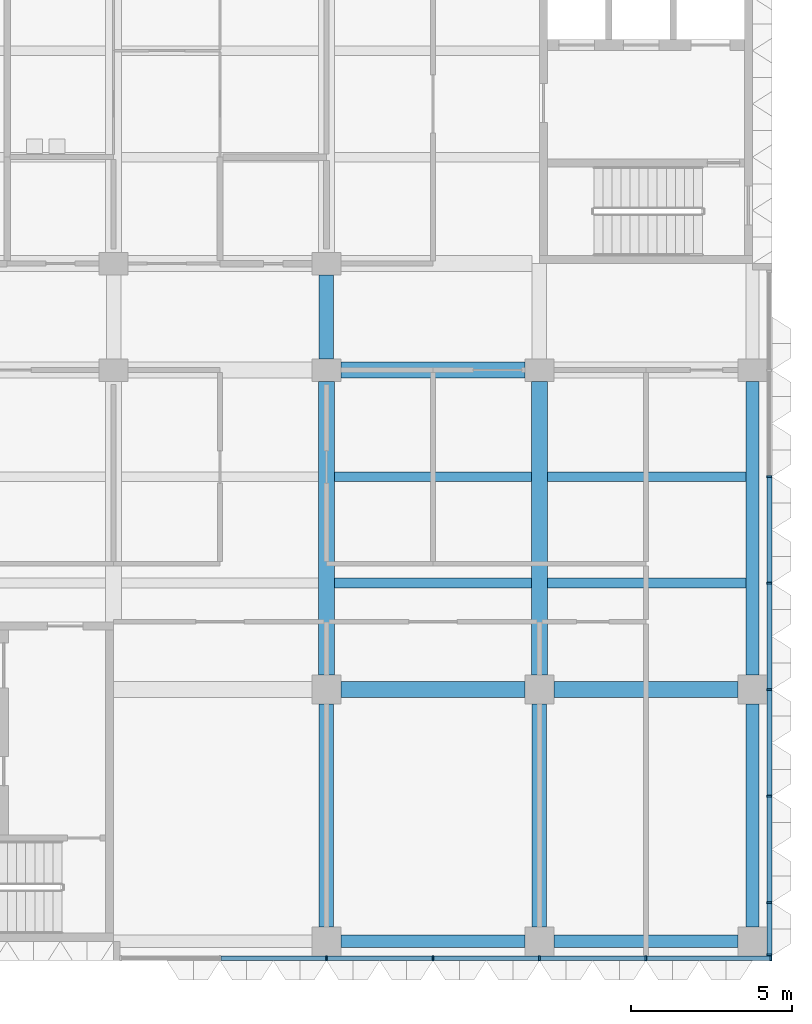
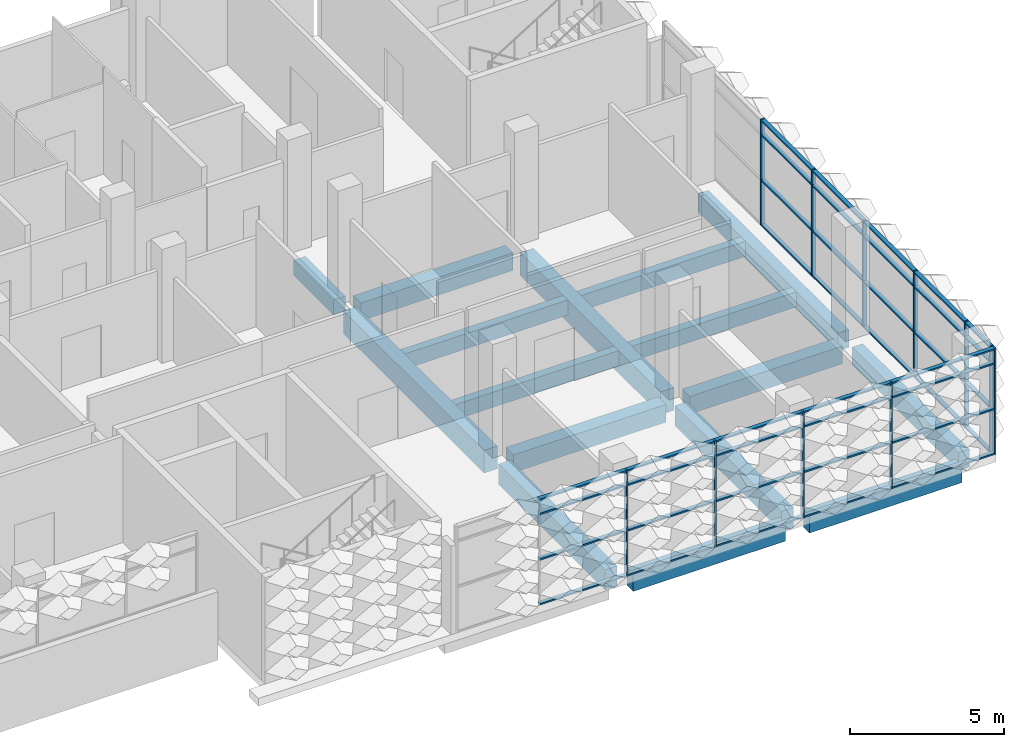
# One storey, part 12 of 102: 51 members, 16 beams, 2 elements without a shape of their own.
"""IFC4 building model written with IfcOpenShell, lengths in metres."""

from ifc_helpers import new_model, si_unit, direction, frame, origin, origin_2d, place, context, subcontext, project, spatial, rectangle, extrude, material, material_profile, profile_set, type_object, element, aggregate, save


model = new_model("IFC4")

# Units and contexts
model_context = context("Model", 3, precision=1e-05, world=origin(), true_north=direction((0.0, 1.0)))
body_context = subcontext(model_context, "Body", "Model", "MODEL_VIEW")
ifc_project = project(units=[si_unit("LENGTHUNIT", "METRE"), si_unit("AREAUNIT", "SQUARE_METRE"), si_unit("VOLUMEUNIT", "CUBIC_METRE"), si_unit("PLANEANGLEUNIT", "RADIAN"), si_unit("MASSUNIT", "GRAM", prefix="KILO")], contexts=[model_context])

# Site, building, storey
site_placement = place(None, origin())
site = spatial("IfcSite", under=ifc_project, at=site_placement, CompositionType="ELEMENT")
building_placement = place(site_placement, origin())
building = spatial("IfcBuilding", under=site, at=building_placement, Name="Lantern Court Research Institute", CompositionType="ELEMENT")
storey_placement = place(building_placement, frame((0.0, 0.0, 9.89990234375)))
storey = spatial("IfcBuildingStorey", under=building, at=storey_placement, Name="L02", CompositionType="ELEMENT", Elevation=9.89990234375)

# Curtain wall, members
ifc_material_1 = material(Name="Aluminium alloy 6063-T6", Category="aluminium")
curtain_wall_type_1 = type_object("IfcCurtainWallType", Name="Curtain wall 21250 x 4200 x 150 aluminium frame", PredefinedType="NOTDEFINED", material=ifc_material_1)
curtain_wall_1_placement = place(storey_placement, origin())
curtain_wall_1 = element("IfcCurtainWall", 1, at=curtain_wall_1_placement, inside=storey, type_object=curtain_wall_type_1, Name="Curtain wall CW043", PredefinedType="NOTDEFINED")
ifc_material_2 = material(Name="Aluminium alloy 6063-T6", Category="aluminium")
ifc_material_profile_1 = material_profile(ifc_material_2, rectangle(XDim=0.14990234375, YDim=0.06005859375, at=origin_2d()), Name="Mullion 150 x 60")
ifc_profile_set_1 = profile_set([ifc_material_profile_1], Name="Aluminium alloy 6063-T6")
member_type_1 = type_object("IfcMemberType", Name="Mullion 150 x 60 aluminium", PredefinedType="MULLION", material=ifc_profile_set_1)
member_1_placement = place(storey_placement, frame((79.72509765625, -8.219970703125, 0.0), z_axis=(0.0, 0.0, 1.0), x_axis=(1.0, 0.0, 0.0)))
member_1 = element("IfcMember", 2, at=member_1_placement, type_object=member_type_1, Name="CW043 mullion 1", PredefinedType="MULLION", context=body_context, shape_type="SweptSolid", body=[
    extrude(rectangle(XDim=0.14990234375, YDim=0.06005859375, at=origin_2d()), origin(), (0.0, 0.0, 1.0), 4.2001953125),
])
member_2_placement = place(storey_placement, frame((79.72509765625, -6.60009765625, 0.0), z_axis=(0.0, 0.0, 1.0), x_axis=(1.0, 0.0, 0.0)))
member_2 = element("IfcMember", 3, at=member_2_placement, type_object=member_type_1, Name="CW043 mullion 2", PredefinedType="MULLION", context=body_context, shape_type="SweptSolid", body=[
    extrude(rectangle(XDim=0.14990234375, YDim=0.06005859375, at=origin_2d()), origin(), (0.0, 0.0, 1.0), 4.2001953125),
])
member_3_placement = place(storey_placement, frame((79.72509765625, -3.300048828125, 0.0), z_axis=(0.0, 0.0, 1.0), x_axis=(1.0, 0.0, 0.0)))
member_3 = element("IfcMember", 4, at=member_3_placement, type_object=member_type_1, Name="CW043 mullion 3", PredefinedType="MULLION", context=body_context, shape_type="SweptSolid", body=[
    extrude(rectangle(XDim=0.14990234375, YDim=0.06005859375, at=origin_2d()), origin(), (0.0, 0.0, 1.0), 4.2001953125),
])
member_4_placement = place(storey_placement, frame((79.72509765625, 0.0, 0.0), z_axis=(0.0, 0.0, 1.0), x_axis=(1.0, 0.0, 0.0)))
member_4 = element("IfcMember", 5, at=member_4_placement, type_object=member_type_1, Name="CW043 mullion 4", PredefinedType="MULLION", context=body_context, shape_type="SweptSolid", body=[
    extrude(rectangle(XDim=0.14990234375, YDim=0.06005859375, at=origin_2d()), origin(), (0.0, 0.0, 1.0), 4.2001953125),
])
member_5_placement = place(storey_placement, frame((79.72509765625, 3.300048828125, 0.0), z_axis=(0.0, 0.0, 1.0), x_axis=(1.0, 0.0, 0.0)))
member_5 = element("IfcMember", 6, at=member_5_placement, type_object=member_type_1, Name="CW043 mullion 5", PredefinedType="MULLION", context=body_context, shape_type="SweptSolid", body=[
    extrude(rectangle(XDim=0.14990234375, YDim=0.06005859375, at=origin_2d()), origin(), (0.0, 0.0, 1.0), 4.2001953125),
])
member_6_placement = place(storey_placement, frame((79.72509765625, 6.60009765625, 0.0), z_axis=(0.0, 0.0, 1.0), x_axis=(1.0, 0.0, 0.0)))
member_6 = element("IfcMember", 7, at=member_6_placement, type_object=member_type_1, Name="CW043 mullion 6", PredefinedType="MULLION", context=body_context, shape_type="SweptSolid", body=[
    extrude(rectangle(XDim=0.14990234375, YDim=0.06005859375, at=origin_2d()), origin(), (0.0, 0.0, 1.0), 4.2001953125),
])

ifc_material_3 = material(Name="Aluminium alloy 6063-T6", Category="aluminium")
curtain_wall_type_2 = type_object("IfcCurtainWallType", Name="Curtain wall 20200 x 4200 x 150 aluminium frame", PredefinedType="NOTDEFINED", material=ifc_material_3)
curtain_wall_2_placement = place(storey_placement, origin())
curtain_wall_2 = element("IfcCurtainWall", 8, at=curtain_wall_2_placement, inside=storey, type_object=curtain_wall_type_2, Name="Curtain wall CW044", PredefinedType="NOTDEFINED")
member_7_placement = place(storey_placement, frame((66.0, -8.324951171875, 0.0), z_axis=(0.0, 0.0, 1.0), x_axis=(0.0, -1.0, 0.0)))
member_7 = element("IfcMember", 9, at=member_7_placement, type_object=member_type_1, Name="CW044 mullion 3", PredefinedType="MULLION", context=body_context, shape_type="SweptSolid", body=[
    extrude(rectangle(XDim=0.14990234375, YDim=0.06005859375, at=origin_2d()), origin(), (0.0, 0.0, 1.0), 4.2001953125),
])
member_8_placement = place(storey_placement, frame((69.300048828125, -8.324951171875, 0.0), z_axis=(0.0, 0.0, 1.0), x_axis=(0.0, -1.0, 0.0)))
member_8 = element("IfcMember", 10, at=member_8_placement, type_object=member_type_1, Name="CW044 mullion 4", PredefinedType="MULLION", context=body_context, shape_type="SweptSolid", body=[
    extrude(rectangle(XDim=0.14990234375, YDim=0.06005859375, at=origin_2d()), origin(), (0.0, 0.0, 1.0), 4.2001953125),
])
member_9_placement = place(storey_placement, frame((72.60009765625, -8.324951171875, 0.0), z_axis=(0.0, 0.0, 1.0), x_axis=(0.0, -1.0, 0.0)))
member_9 = element("IfcMember", 11, at=member_9_placement, type_object=member_type_1, Name="CW044 mullion 5", PredefinedType="MULLION", context=body_context, shape_type="SweptSolid", body=[
    extrude(rectangle(XDim=0.14990234375, YDim=0.06005859375, at=origin_2d()), origin(), (0.0, 0.0, 1.0), 4.2001953125),
])
member_10_placement = place(storey_placement, frame((75.89990234375, -8.324951171875, 0.0), z_axis=(0.0, 0.0, 1.0), x_axis=(0.0, -1.0, 0.0)))
member_10 = element("IfcMember", 12, at=member_10_placement, type_object=member_type_1, Name="CW044 mullion 6", PredefinedType="MULLION", context=body_context, shape_type="SweptSolid", body=[
    extrude(rectangle(XDim=0.14990234375, YDim=0.06005859375, at=origin_2d()), origin(), (0.0, 0.0, 1.0), 4.2001953125),
])
member_11_placement = place(storey_placement, frame((79.77001953125, -8.324951171875, 0.0), z_axis=(0.0, 0.0, 1.0), x_axis=(0.0, -1.0, 0.0)))
member_11 = element("IfcMember", 13, at=member_11_placement, type_object=member_type_1, Name="CW044 mullion 7", PredefinedType="MULLION", context=body_context, shape_type="SweptSolid", body=[
    extrude(rectangle(XDim=0.14990234375, YDim=0.06005859375, at=origin_2d()), origin(), (0.0, 0.0, 1.0), 4.2001953125),
])

# Beams
ifc_material_4 = material(Name="Concrete C40/50", Category="concrete")
ifc_material_profile_2 = material_profile(ifc_material_4, rectangle(XDim=0.5, YDim=0.699951171875, at=origin_2d()), Name="RC beam 500 x 700")
ifc_profile_set_2 = profile_set([ifc_material_profile_2], Name="Concrete C40/50")
beam_type_1 = type_object("IfcBeamType", Name="RC beam 500 x 700", PredefinedType="BEAM", material=ifc_profile_set_2)
for number, where, z_axis, x_axis, name in (
    (14, (66.449951171875, 0.0, -0.64990234375), (1.0, 0.0, 0.0), (0.0, 1.0, 0.0), "Beam L02 grid A/11-12"),
    (15, (73.050048828125, 0.0, -0.64990234375), (1.0, 0.0, 0.0), (0.0, 1.0, 0.0), "Beam L02 grid A/12-13"),
    (16, (66.449951171875, 9.89990234375, -0.64990234375), (1.0, 0.0, 0.0), (0.0, 1.0, 0.0), "Beam L02 grid B/11-12"),
):
    element("IfcBeam", number, at=place(storey_placement, frame(where, z_axis=z_axis, x_axis=x_axis)), inside=storey, type_object=beam_type_1, Name=name, PredefinedType="BEAM", context=body_context, shape_type="SweptSolid", body=[
        extrude(rectangle(XDim=0.5, YDim=0.699951171875, at=origin_2d()), origin(), (0.0, 0.0, 1.0), 5.699951171875),
    ])
ifc_material_5 = material(Name="Concrete C40/50", Category="concrete")
ifc_material_profile_3 = material_profile(ifc_material_5, rectangle(XDim=0.39990234375, YDim=0.699951171875, at=origin_2d()), Name="RC beam 400 x 700")
ifc_profile_set_3 = profile_set([ifc_material_profile_3], Name="Concrete C40/50")
beam_type_2 = type_object("IfcBeamType", Name="RC edge beam 400 x 700", PredefinedType="BEAM", material=ifc_profile_set_3)
beam_1_placement = place(storey_placement, frame((79.199951171875, -7.35009765625, -0.64990234375), z_axis=(0.0, 1.0, 0.0), x_axis=(-1.0, 0.0, 0.0)))
element("IfcBeam", 17, at=beam_1_placement, inside=storey, type_object=beam_type_2, Name="Edge beam L02 grid 13/Z-A", PredefinedType="BEAM", context=body_context, shape_type="SweptSolid", body=[
    extrude(rectangle(XDim=0.39990234375, YDim=0.699951171875, at=origin_2d()), origin(), (0.0, 0.0, 1.0), 6.900146484375),
])
beam_2_placement = place(storey_placement, frame((79.199951171875, 0.449951171875, -0.64990234375), z_axis=(0.0, 1.0, 0.0), x_axis=(-1.0, 0.0, 0.0)))
element("IfcBeam", 18, at=beam_2_placement, inside=storey, type_object=beam_type_2, Name="Edge beam L02 grid 13/A-B", PredefinedType="BEAM", context=body_context, shape_type="SweptSolid", body=[
    extrude(rectangle(XDim=0.39990234375, YDim=0.699951171875, at=origin_2d()), origin(), (0.0, 0.0, 1.0), 9.10009765625),
])
for number, where, z_axis, x_axis, name in (
    (19, (66.449951171875, -7.800048828125, -0.64990234375), (1.0, 0.0, 0.0), (0.0, 1.0, 0.0), "Edge beam L02 grid Z/11-12"),
    (20, (73.050048828125, -7.800048828125, -0.64990234375), (1.0, 0.0, 0.0), (0.0, 1.0, 0.0), "Edge beam L02 grid Z/12-13"),
):
    element("IfcBeam", number, at=place(storey_placement, frame(where, z_axis=z_axis, x_axis=x_axis)), inside=storey, type_object=beam_type_2, Name=name, PredefinedType="BEAM", context=body_context, shape_type="SweptSolid", body=[
        extrude(rectangle(XDim=0.39990234375, YDim=0.699951171875, at=origin_2d()), origin(), (0.0, 0.0, 1.0), 5.699951171875),
    ])
ifc_material_6 = material(Name="Concrete C40/50", Category="concrete")
ifc_material_profile_4 = material_profile(ifc_material_6, rectangle(XDim=0.449951171875, YDim=0.800048828125, at=origin_2d()), Name="RC beam 450 x 800")
ifc_profile_set_4 = profile_set([ifc_material_profile_4], Name="Concrete C40/50")
beam_type_3 = type_object("IfcBeamType", Name="RC girder 450 x 800", PredefinedType="BEAM", material=ifc_profile_set_4)
for number, where, z_axis, x_axis, name in (
    (21, (66.0, -7.35009765625, -0.699951171875), (0.0, 1.0, 0.0), (-1.0, 0.0, 0.0), "Girder L02 grid 11/Z-A"),
    (22, (72.60009765625, -7.35009765625, -0.699951171875), (0.0, 1.0, 0.0), (-1.0, 0.0, 0.0), "Girder L02 grid 12/Z-A"),
):
    element("IfcBeam", number, at=place(storey_placement, frame(where, z_axis=z_axis, x_axis=x_axis)), inside=storey, type_object=beam_type_3, Name=name, PredefinedType="BEAM", context=body_context, shape_type="SweptSolid", body=[
        extrude(rectangle(XDim=0.449951171875, YDim=0.800048828125, at=origin_2d()), origin(), (0.0, 0.0, 1.0), 6.900146484375),
    ])
ifc_material_7 = material(Name="Concrete C40/50", Category="concrete")
ifc_material_profile_5 = material_profile(ifc_material_7, rectangle(XDim=0.5, YDim=0.89990234375, at=origin_2d()), Name="RC beam 500 x 900")
ifc_profile_set_5 = profile_set([ifc_material_profile_5], Name="Concrete C40/50")
beam_type_4 = type_object("IfcBeamType", Name="RC girder 500 x 900", PredefinedType="BEAM", material=ifc_profile_set_5)
for number, where, z_axis, x_axis, name in (
    (23, (66.0, 0.449951171875, -0.75), (0.0, 1.0, 0.0), (-1.0, 0.0, 0.0), "Girder L02 grid 11/A-B"),
    (24, (72.60009765625, 0.449951171875, -0.75), (0.0, 1.0, 0.0), (-1.0, 0.0, 0.0), "Girder L02 grid 12/A-B"),
):
    element("IfcBeam", number, at=place(storey_placement, frame(where, z_axis=z_axis, x_axis=x_axis)), inside=storey, type_object=beam_type_4, Name=name, PredefinedType="BEAM", context=body_context, shape_type="SweptSolid", body=[
        extrude(rectangle(XDim=0.5, YDim=0.89990234375, at=origin_2d()), origin(), (0.0, 0.0, 1.0), 9.10009765625),
    ])
ifc_material_8 = material(Name="Concrete C40/50", Category="concrete")
ifc_material_profile_6 = material_profile(ifc_material_8, rectangle(XDim=0.300048828125, YDim=0.60009765625, at=origin_2d()), Name="RC beam 300 x 600")
ifc_profile_set_6 = profile_set([ifc_material_profile_6], Name="Concrete C40/50")
beam_type_5 = type_object("IfcBeamType", Name="RC secondary beam 300 x 600", PredefinedType="BEAM", material=ifc_profile_set_6)
beam_3_placement = place(storey_placement, frame((66.25, 3.300048828125, -0.599853515625), z_axis=(1.0, 0.0, 0.0), x_axis=(0.0, 1.0, 0.0)))
element("IfcBeam", 25, at=beam_3_placement, inside=storey, type_object=beam_type_5, Name="Secondary beam L02 grids 11-12 / A-B, line 1", PredefinedType="BEAM", context=body_context, shape_type="SweptSolid", body=[
    extrude(rectangle(XDim=0.300048828125, YDim=0.60009765625, at=origin_2d()), origin(), (0.0, 0.0, 1.0), 6.10009765625),
])
beam_4_placement = place(storey_placement, frame((72.85009765625, 3.300048828125, -0.599853515625), z_axis=(1.0, 0.0, 0.0), x_axis=(0.0, 1.0, 0.0)))
element("IfcBeam", 26, at=beam_4_placement, inside=storey, type_object=beam_type_5, Name="Secondary beam L02 grids 12-13 / A-B, line 1", PredefinedType="BEAM", context=body_context, shape_type="SweptSolid", body=[
    extrude(rectangle(XDim=0.300048828125, YDim=0.60009765625, at=origin_2d()), origin(), (0.0, 0.0, 1.0), 6.14990234375),
])
beam_5_placement = place(storey_placement, frame((66.25, 6.60009765625, -0.599853515625), z_axis=(1.0, 0.0, 0.0), x_axis=(0.0, 1.0, 0.0)))
element("IfcBeam", 27, at=beam_5_placement, inside=storey, type_object=beam_type_5, Name="Secondary beam L02 grids 11-12 / A-B, line 2", PredefinedType="BEAM", context=body_context, shape_type="SweptSolid", body=[
    extrude(rectangle(XDim=0.300048828125, YDim=0.60009765625, at=origin_2d()), origin(), (0.0, 0.0, 1.0), 6.10009765625),
])
beam_6_placement = place(storey_placement, frame((72.85009765625, 6.60009765625, -0.599853515625), z_axis=(1.0, 0.0, 0.0), x_axis=(0.0, 1.0, 0.0)))
element("IfcBeam", 28, at=beam_6_placement, inside=storey, type_object=beam_type_5, Name="Secondary beam L02 grids 12-13 / A-B, line 2", PredefinedType="BEAM", context=body_context, shape_type="SweptSolid", body=[
    extrude(rectangle(XDim=0.300048828125, YDim=0.60009765625, at=origin_2d()), origin(), (0.0, 0.0, 1.0), 6.14990234375),
])
ifc_material_9 = material(Name="Concrete C40/50", Category="concrete")
ifc_material_profile_7 = material_profile(ifc_material_9, rectangle(XDim=0.449951171875, YDim=0.60009765625, at=origin_2d()), Name="RC beam 450 x 600")
ifc_profile_set_7 = profile_set([ifc_material_profile_7], Name="Concrete C40/50")
beam_type_6 = type_object("IfcBeamType", Name="RC spine beam 450 x 600", PredefinedType="BEAM", material=ifc_profile_set_7)
beam_7_placement = place(storey_placement, frame((66.0, 10.25, -0.599853515625), z_axis=(0.0, 1.0, 0.0), x_axis=(-1.0, 0.0, 0.0)))
element("IfcBeam", 29, at=beam_7_placement, inside=storey, type_object=beam_type_6, Name="Beam L02 grid 11/B-C", PredefinedType="BEAM", context=body_context, shape_type="SweptSolid", body=[
    extrude(rectangle(XDim=0.449951171875, YDim=0.60009765625, at=origin_2d()), origin(), (0.0, 0.0, 1.0), 2.60009765625),
])

# Member
ifc_material_10 = material(Name="Aluminium alloy 6063-T6", Category="aluminium")
ifc_material_profile_8 = material_profile(ifc_material_10, rectangle(XDim=0.14990234375, YDim=0.06005859375, at=origin_2d()), Name="Transom 150 x 60")
ifc_profile_set_8 = profile_set([ifc_material_profile_8], Name="Aluminium alloy 6063-T6")
member_type_2 = type_object("IfcMemberType", Name="Transom 150 x 60 aluminium", PredefinedType="USERDEFINED", material=ifc_profile_set_8)
member_12_placement = place(storey_placement, frame((79.72509765625, -6.6298828125, 0.030029296875), z_axis=(0.0, -1.0, 0.0), x_axis=(1.0, 0.0, 0.0)))
member_12 = element("IfcMember", 30, at=member_12_placement, type_object=member_type_2, Name="CW043 transom 1.1", ObjectType="TRANSOM", PredefinedType="USERDEFINED", context=body_context, shape_type="SweptSolid", body=[
    extrude(rectangle(XDim=0.14990234375, YDim=0.06005859375, at=origin_2d()), origin(), (0.0, 0.0, 1.0), 1.56005859375),
])

member_13_placement = place(storey_placement, frame((79.72509765625, -6.6298828125, 1.800048828125), z_axis=(0.0, -1.0, 0.0), x_axis=(1.0, 0.0, 0.0)))
member_13 = element("IfcMember", 31, at=member_13_placement, type_object=member_type_2, Name="CW043 transom 1.2", ObjectType="TRANSOM", PredefinedType="USERDEFINED", context=body_context, shape_type="SweptSolid", body=[
    extrude(rectangle(XDim=0.14990234375, YDim=0.06005859375, at=origin_2d()), origin(), (0.0, 0.0, 1.0), 1.56005859375),
])

member_14_placement = place(storey_placement, frame((79.72509765625, -6.6298828125, 3.60009765625), z_axis=(0.0, -1.0, 0.0), x_axis=(1.0, 0.0, 0.0)))
member_14 = element("IfcMember", 32, at=member_14_placement, type_object=member_type_2, Name="CW043 transom 1.3", ObjectType="TRANSOM", PredefinedType="USERDEFINED", context=body_context, shape_type="SweptSolid", body=[
    extrude(rectangle(XDim=0.14990234375, YDim=0.06005859375, at=origin_2d()), origin(), (0.0, 0.0, 1.0), 1.56005859375),
])

member_15_placement = place(storey_placement, frame((79.72509765625, -6.6298828125, 4.170166015625), z_axis=(0.0, -1.0, 0.0), x_axis=(1.0, 0.0, 0.0)))
member_15 = element("IfcMember", 33, at=member_15_placement, type_object=member_type_2, Name="CW043 transom 1.4", ObjectType="TRANSOM", PredefinedType="USERDEFINED", context=body_context, shape_type="SweptSolid", body=[
    extrude(rectangle(XDim=0.14990234375, YDim=0.06005859375, at=origin_2d()), origin(), (0.0, 0.0, 1.0), 1.56005859375),
])

member_16_placement = place(storey_placement, frame((79.72509765625, -3.330078125, 0.030029296875), z_axis=(0.0, -1.0, 0.0), x_axis=(1.0, 0.0, 0.0)))
member_16 = element("IfcMember", 34, at=member_16_placement, type_object=member_type_2, Name="CW043 transom 2.1", ObjectType="TRANSOM", PredefinedType="USERDEFINED", context=body_context, shape_type="SweptSolid", body=[
    extrude(rectangle(XDim=0.14990234375, YDim=0.06005859375, at=origin_2d()), origin(), (0.0, 0.0, 1.0), 3.239990234375),
])

member_17_placement = place(storey_placement, frame((79.72509765625, -3.330078125, 1.800048828125), z_axis=(0.0, -1.0, 0.0), x_axis=(1.0, 0.0, 0.0)))
member_17 = element("IfcMember", 35, at=member_17_placement, type_object=member_type_2, Name="CW043 transom 2.2", ObjectType="TRANSOM", PredefinedType="USERDEFINED", context=body_context, shape_type="SweptSolid", body=[
    extrude(rectangle(XDim=0.14990234375, YDim=0.06005859375, at=origin_2d()), origin(), (0.0, 0.0, 1.0), 3.239990234375),
])

member_18_placement = place(storey_placement, frame((79.72509765625, -3.330078125, 3.60009765625), z_axis=(0.0, -1.0, 0.0), x_axis=(1.0, 0.0, 0.0)))
member_18 = element("IfcMember", 36, at=member_18_placement, type_object=member_type_2, Name="CW043 transom 2.3", ObjectType="TRANSOM", PredefinedType="USERDEFINED", context=body_context, shape_type="SweptSolid", body=[
    extrude(rectangle(XDim=0.14990234375, YDim=0.06005859375, at=origin_2d()), origin(), (0.0, 0.0, 1.0), 3.239990234375),
])

member_19_placement = place(storey_placement, frame((79.72509765625, -3.330078125, 4.170166015625), z_axis=(0.0, -1.0, 0.0), x_axis=(1.0, 0.0, 0.0)))
member_19 = element("IfcMember", 37, at=member_19_placement, type_object=member_type_2, Name="CW043 transom 2.4", ObjectType="TRANSOM", PredefinedType="USERDEFINED", context=body_context, shape_type="SweptSolid", body=[
    extrude(rectangle(XDim=0.14990234375, YDim=0.06005859375, at=origin_2d()), origin(), (0.0, 0.0, 1.0), 3.239990234375),
])

member_20_placement = place(storey_placement, frame((79.72509765625, -0.030029296875, 0.030029296875), z_axis=(0.0, -1.0, 0.0), x_axis=(1.0, 0.0, 0.0)))
member_20 = element("IfcMember", 38, at=member_20_placement, type_object=member_type_2, Name="CW043 transom 3.1", ObjectType="TRANSOM", PredefinedType="USERDEFINED", context=body_context, shape_type="SweptSolid", body=[
    extrude(rectangle(XDim=0.14990234375, YDim=0.06005859375, at=origin_2d()), origin(), (0.0, 0.0, 1.0), 3.239990234375),
])

member_21_placement = place(storey_placement, frame((79.72509765625, -0.030029296875, 1.800048828125), z_axis=(0.0, -1.0, 0.0), x_axis=(1.0, 0.0, 0.0)))
member_21 = element("IfcMember", 39, at=member_21_placement, type_object=member_type_2, Name="CW043 transom 3.2", ObjectType="TRANSOM", PredefinedType="USERDEFINED", context=body_context, shape_type="SweptSolid", body=[
    extrude(rectangle(XDim=0.14990234375, YDim=0.06005859375, at=origin_2d()), origin(), (0.0, 0.0, 1.0), 3.239990234375),
])

member_22_placement = place(storey_placement, frame((79.72509765625, -0.030029296875, 3.60009765625), z_axis=(0.0, -1.0, 0.0), x_axis=(1.0, 0.0, 0.0)))
member_22 = element("IfcMember", 40, at=member_22_placement, type_object=member_type_2, Name="CW043 transom 3.3", ObjectType="TRANSOM", PredefinedType="USERDEFINED", context=body_context, shape_type="SweptSolid", body=[
    extrude(rectangle(XDim=0.14990234375, YDim=0.06005859375, at=origin_2d()), origin(), (0.0, 0.0, 1.0), 3.239990234375),
])

member_23_placement = place(storey_placement, frame((79.72509765625, -0.030029296875, 4.170166015625), z_axis=(0.0, -1.0, 0.0), x_axis=(1.0, 0.0, 0.0)))
member_23 = element("IfcMember", 41, at=member_23_placement, type_object=member_type_2, Name="CW043 transom 3.4", ObjectType="TRANSOM", PredefinedType="USERDEFINED", context=body_context, shape_type="SweptSolid", body=[
    extrude(rectangle(XDim=0.14990234375, YDim=0.06005859375, at=origin_2d()), origin(), (0.0, 0.0, 1.0), 3.239990234375),
])

member_24_placement = place(storey_placement, frame((79.72509765625, 3.27001953125, 0.030029296875), z_axis=(0.0, -1.0, 0.0), x_axis=(1.0, 0.0, 0.0)))
member_24 = element("IfcMember", 42, at=member_24_placement, type_object=member_type_2, Name="CW043 transom 4.1", ObjectType="TRANSOM", PredefinedType="USERDEFINED", context=body_context, shape_type="SweptSolid", body=[
    extrude(rectangle(XDim=0.14990234375, YDim=0.06005859375, at=origin_2d()), origin(), (0.0, 0.0, 1.0), 3.239990234375),
])

member_25_placement = place(storey_placement, frame((79.72509765625, 3.27001953125, 1.800048828125), z_axis=(0.0, -1.0, 0.0), x_axis=(1.0, 0.0, 0.0)))
member_25 = element("IfcMember", 43, at=member_25_placement, type_object=member_type_2, Name="CW043 transom 4.2", ObjectType="TRANSOM", PredefinedType="USERDEFINED", context=body_context, shape_type="SweptSolid", body=[
    extrude(rectangle(XDim=0.14990234375, YDim=0.06005859375, at=origin_2d()), origin(), (0.0, 0.0, 1.0), 3.239990234375),
])

member_26_placement = place(storey_placement, frame((79.72509765625, 3.27001953125, 3.60009765625), z_axis=(0.0, -1.0, 0.0), x_axis=(1.0, 0.0, 0.0)))
member_26 = element("IfcMember", 44, at=member_26_placement, type_object=member_type_2, Name="CW043 transom 4.3", ObjectType="TRANSOM", PredefinedType="USERDEFINED", context=body_context, shape_type="SweptSolid", body=[
    extrude(rectangle(XDim=0.14990234375, YDim=0.06005859375, at=origin_2d()), origin(), (0.0, 0.0, 1.0), 3.239990234375),
])

member_27_placement = place(storey_placement, frame((79.72509765625, 3.27001953125, 4.170166015625), z_axis=(0.0, -1.0, 0.0), x_axis=(1.0, 0.0, 0.0)))
member_27 = element("IfcMember", 45, at=member_27_placement, type_object=member_type_2, Name="CW043 transom 4.4", ObjectType="TRANSOM", PredefinedType="USERDEFINED", context=body_context, shape_type="SweptSolid", body=[
    extrude(rectangle(XDim=0.14990234375, YDim=0.06005859375, at=origin_2d()), origin(), (0.0, 0.0, 1.0), 3.239990234375),
])

member_28_placement = place(storey_placement, frame((79.72509765625, 6.570068359375, 0.030029296875), z_axis=(0.0, -1.0, 0.0), x_axis=(1.0, 0.0, 0.0)))
member_28 = element("IfcMember", 46, at=member_28_placement, type_object=member_type_2, Name="CW043 transom 5.1", ObjectType="TRANSOM", PredefinedType="USERDEFINED", context=body_context, shape_type="SweptSolid", body=[
    extrude(rectangle(XDim=0.14990234375, YDim=0.06005859375, at=origin_2d()), origin(), (0.0, 0.0, 1.0), 3.239990234375),
])

member_29_placement = place(storey_placement, frame((79.72509765625, 6.570068359375, 1.800048828125), z_axis=(0.0, -1.0, 0.0), x_axis=(1.0, 0.0, 0.0)))
member_29 = element("IfcMember", 47, at=member_29_placement, type_object=member_type_2, Name="CW043 transom 5.2", ObjectType="TRANSOM", PredefinedType="USERDEFINED", context=body_context, shape_type="SweptSolid", body=[
    extrude(rectangle(XDim=0.14990234375, YDim=0.06005859375, at=origin_2d()), origin(), (0.0, 0.0, 1.0), 3.239990234375),
])

member_30_placement = place(storey_placement, frame((79.72509765625, 6.570068359375, 3.60009765625), z_axis=(0.0, -1.0, 0.0), x_axis=(1.0, 0.0, 0.0)))
member_30 = element("IfcMember", 48, at=member_30_placement, type_object=member_type_2, Name="CW043 transom 5.3", ObjectType="TRANSOM", PredefinedType="USERDEFINED", context=body_context, shape_type="SweptSolid", body=[
    extrude(rectangle(XDim=0.14990234375, YDim=0.06005859375, at=origin_2d()), origin(), (0.0, 0.0, 1.0), 3.239990234375),
])

member_31_placement = place(storey_placement, frame((79.72509765625, 6.570068359375, 4.170166015625), z_axis=(0.0, -1.0, 0.0), x_axis=(1.0, 0.0, 0.0)))
member_31 = element("IfcMember", 49, at=member_31_placement, type_object=member_type_2, Name="CW043 transom 5.4", ObjectType="TRANSOM", PredefinedType="USERDEFINED", context=body_context, shape_type="SweptSolid", body=[
    extrude(rectangle(XDim=0.14990234375, YDim=0.06005859375, at=origin_2d()), origin(), (0.0, 0.0, 1.0), 3.239990234375),
])

aggregate(curtain_wall_1, [member_1, member_2, member_3, member_4, member_5, member_6, member_12, member_13, member_14, member_15, member_16, member_17, member_18, member_19, member_20, member_21, member_22, member_23, member_24, member_25, member_26, member_27, member_28, member_29, member_30, member_31])

member_32_placement = place(storey_placement, frame((65.969970703125, -8.324951171875, 0.030029296875), z_axis=(-1.0, 0.0, 0.0), x_axis=(0.0, -1.0, 0.0)))
member_32 = element("IfcMember", 50, at=member_32_placement, type_object=member_type_2, Name="CW044 transom 2.1", ObjectType="TRANSOM", PredefinedType="USERDEFINED", context=body_context, shape_type="SweptSolid", body=[
    extrude(rectangle(XDim=0.14990234375, YDim=0.06005859375, at=origin_2d()), origin(), (0.0, 0.0, 1.0), 3.239990234375),
])

member_33_placement = place(storey_placement, frame((65.969970703125, -8.324951171875, 1.800048828125), z_axis=(-1.0, 0.0, 0.0), x_axis=(0.0, -1.0, 0.0)))
member_33 = element("IfcMember", 51, at=member_33_placement, type_object=member_type_2, Name="CW044 transom 2.2", ObjectType="TRANSOM", PredefinedType="USERDEFINED", context=body_context, shape_type="SweptSolid", body=[
    extrude(rectangle(XDim=0.14990234375, YDim=0.06005859375, at=origin_2d()), origin(), (0.0, 0.0, 1.0), 3.239990234375),
])

member_34_placement = place(storey_placement, frame((65.969970703125, -8.324951171875, 3.60009765625), z_axis=(-1.0, 0.0, 0.0), x_axis=(0.0, -1.0, 0.0)))
member_34 = element("IfcMember", 52, at=member_34_placement, type_object=member_type_2, Name="CW044 transom 2.3", ObjectType="TRANSOM", PredefinedType="USERDEFINED", context=body_context, shape_type="SweptSolid", body=[
    extrude(rectangle(XDim=0.14990234375, YDim=0.06005859375, at=origin_2d()), origin(), (0.0, 0.0, 1.0), 3.239990234375),
])

member_35_placement = place(storey_placement, frame((65.969970703125, -8.324951171875, 4.170166015625), z_axis=(-1.0, 0.0, 0.0), x_axis=(0.0, -1.0, 0.0)))
member_35 = element("IfcMember", 53, at=member_35_placement, type_object=member_type_2, Name="CW044 transom 2.4", ObjectType="TRANSOM", PredefinedType="USERDEFINED", context=body_context, shape_type="SweptSolid", body=[
    extrude(rectangle(XDim=0.14990234375, YDim=0.06005859375, at=origin_2d()), origin(), (0.0, 0.0, 1.0), 3.239990234375),
])

member_36_placement = place(storey_placement, frame((69.27001953125, -8.324951171875, 0.030029296875), z_axis=(-1.0, 0.0, 0.0), x_axis=(0.0, -1.0, 0.0)))
member_36 = element("IfcMember", 54, at=member_36_placement, type_object=member_type_2, Name="CW044 transom 3.1", ObjectType="TRANSOM", PredefinedType="USERDEFINED", context=body_context, shape_type="SweptSolid", body=[
    extrude(rectangle(XDim=0.14990234375, YDim=0.06005859375, at=origin_2d()), origin(), (0.0, 0.0, 1.0), 3.239990234375),
])

member_37_placement = place(storey_placement, frame((69.27001953125, -8.324951171875, 1.800048828125), z_axis=(-1.0, 0.0, 0.0), x_axis=(0.0, -1.0, 0.0)))
member_37 = element("IfcMember", 55, at=member_37_placement, type_object=member_type_2, Name="CW044 transom 3.2", ObjectType="TRANSOM", PredefinedType="USERDEFINED", context=body_context, shape_type="SweptSolid", body=[
    extrude(rectangle(XDim=0.14990234375, YDim=0.06005859375, at=origin_2d()), origin(), (0.0, 0.0, 1.0), 3.239990234375),
])

member_38_placement = place(storey_placement, frame((69.27001953125, -8.324951171875, 3.60009765625), z_axis=(-1.0, 0.0, 0.0), x_axis=(0.0, -1.0, 0.0)))
member_38 = element("IfcMember", 56, at=member_38_placement, type_object=member_type_2, Name="CW044 transom 3.3", ObjectType="TRANSOM", PredefinedType="USERDEFINED", context=body_context, shape_type="SweptSolid", body=[
    extrude(rectangle(XDim=0.14990234375, YDim=0.06005859375, at=origin_2d()), origin(), (0.0, 0.0, 1.0), 3.239990234375),
])

member_39_placement = place(storey_placement, frame((69.27001953125, -8.324951171875, 4.170166015625), z_axis=(-1.0, 0.0, 0.0), x_axis=(0.0, -1.0, 0.0)))
member_39 = element("IfcMember", 57, at=member_39_placement, type_object=member_type_2, Name="CW044 transom 3.4", ObjectType="TRANSOM", PredefinedType="USERDEFINED", context=body_context, shape_type="SweptSolid", body=[
    extrude(rectangle(XDim=0.14990234375, YDim=0.06005859375, at=origin_2d()), origin(), (0.0, 0.0, 1.0), 3.239990234375),
])

member_40_placement = place(storey_placement, frame((72.570068359375, -8.324951171875, 0.030029296875), z_axis=(-1.0, 0.0, 0.0), x_axis=(0.0, -1.0, 0.0)))
member_40 = element("IfcMember", 58, at=member_40_placement, type_object=member_type_2, Name="CW044 transom 4.1", ObjectType="TRANSOM", PredefinedType="USERDEFINED", context=body_context, shape_type="SweptSolid", body=[
    extrude(rectangle(XDim=0.14990234375, YDim=0.06005859375, at=origin_2d()), origin(), (0.0, 0.0, 1.0), 3.239990234375),
])

member_41_placement = place(storey_placement, frame((72.570068359375, -8.324951171875, 1.800048828125), z_axis=(-1.0, 0.0, 0.0), x_axis=(0.0, -1.0, 0.0)))
member_41 = element("IfcMember", 59, at=member_41_placement, type_object=member_type_2, Name="CW044 transom 4.2", ObjectType="TRANSOM", PredefinedType="USERDEFINED", context=body_context, shape_type="SweptSolid", body=[
    extrude(rectangle(XDim=0.14990234375, YDim=0.06005859375, at=origin_2d()), origin(), (0.0, 0.0, 1.0), 3.239990234375),
])

member_42_placement = place(storey_placement, frame((72.570068359375, -8.324951171875, 3.60009765625), z_axis=(-1.0, 0.0, 0.0), x_axis=(0.0, -1.0, 0.0)))
member_42 = element("IfcMember", 60, at=member_42_placement, type_object=member_type_2, Name="CW044 transom 4.3", ObjectType="TRANSOM", PredefinedType="USERDEFINED", context=body_context, shape_type="SweptSolid", body=[
    extrude(rectangle(XDim=0.14990234375, YDim=0.06005859375, at=origin_2d()), origin(), (0.0, 0.0, 1.0), 3.239990234375),
])

member_43_placement = place(storey_placement, frame((72.570068359375, -8.324951171875, 4.170166015625), z_axis=(-1.0, 0.0, 0.0), x_axis=(0.0, -1.0, 0.0)))
member_43 = element("IfcMember", 61, at=member_43_placement, type_object=member_type_2, Name="CW044 transom 4.4", ObjectType="TRANSOM", PredefinedType="USERDEFINED", context=body_context, shape_type="SweptSolid", body=[
    extrude(rectangle(XDim=0.14990234375, YDim=0.06005859375, at=origin_2d()), origin(), (0.0, 0.0, 1.0), 3.239990234375),
])

member_44_placement = place(storey_placement, frame((75.8701171875, -8.324951171875, 0.030029296875), z_axis=(-1.0, 0.0, 0.0), x_axis=(0.0, -1.0, 0.0)))
member_44 = element("IfcMember", 62, at=member_44_placement, type_object=member_type_2, Name="CW044 transom 5.1", ObjectType="TRANSOM", PredefinedType="USERDEFINED", context=body_context, shape_type="SweptSolid", body=[
    extrude(rectangle(XDim=0.14990234375, YDim=0.06005859375, at=origin_2d()), origin(), (0.0, 0.0, 1.0), 3.240234375),
])

member_45_placement = place(storey_placement, frame((75.8701171875, -8.324951171875, 1.800048828125), z_axis=(-1.0, 0.0, 0.0), x_axis=(0.0, -1.0, 0.0)))
member_45 = element("IfcMember", 63, at=member_45_placement, type_object=member_type_2, Name="CW044 transom 5.2", ObjectType="TRANSOM", PredefinedType="USERDEFINED", context=body_context, shape_type="SweptSolid", body=[
    extrude(rectangle(XDim=0.14990234375, YDim=0.06005859375, at=origin_2d()), origin(), (0.0, 0.0, 1.0), 3.240234375),
])

member_46_placement = place(storey_placement, frame((75.8701171875, -8.324951171875, 3.60009765625), z_axis=(-1.0, 0.0, 0.0), x_axis=(0.0, -1.0, 0.0)))
member_46 = element("IfcMember", 64, at=member_46_placement, type_object=member_type_2, Name="CW044 transom 5.3", ObjectType="TRANSOM", PredefinedType="USERDEFINED", context=body_context, shape_type="SweptSolid", body=[
    extrude(rectangle(XDim=0.14990234375, YDim=0.06005859375, at=origin_2d()), origin(), (0.0, 0.0, 1.0), 3.240234375),
])

member_47_placement = place(storey_placement, frame((75.8701171875, -8.324951171875, 4.170166015625), z_axis=(-1.0, 0.0, 0.0), x_axis=(0.0, -1.0, 0.0)))
member_47 = element("IfcMember", 65, at=member_47_placement, type_object=member_type_2, Name="CW044 transom 5.4", ObjectType="TRANSOM", PredefinedType="USERDEFINED", context=body_context, shape_type="SweptSolid", body=[
    extrude(rectangle(XDim=0.14990234375, YDim=0.06005859375, at=origin_2d()), origin(), (0.0, 0.0, 1.0), 3.240234375),
])

member_48_placement = place(storey_placement, frame((79.739990234375, -8.324951171875, 0.030029296875), z_axis=(-1.0, 0.0, 0.0), x_axis=(0.0, -1.0, 0.0)))
member_48 = element("IfcMember", 66, at=member_48_placement, type_object=member_type_2, Name="CW044 transom 6.1", ObjectType="TRANSOM", PredefinedType="USERDEFINED", context=body_context, shape_type="SweptSolid", body=[
    extrude(rectangle(XDim=0.14990234375, YDim=0.06005859375, at=origin_2d()), origin(), (0.0, 0.0, 1.0), 3.81005859375),
])

member_49_placement = place(storey_placement, frame((79.739990234375, -8.324951171875, 1.800048828125), z_axis=(-1.0, 0.0, 0.0), x_axis=(0.0, -1.0, 0.0)))
member_49 = element("IfcMember", 67, at=member_49_placement, type_object=member_type_2, Name="CW044 transom 6.2", ObjectType="TRANSOM", PredefinedType="USERDEFINED", context=body_context, shape_type="SweptSolid", body=[
    extrude(rectangle(XDim=0.14990234375, YDim=0.06005859375, at=origin_2d()), origin(), (0.0, 0.0, 1.0), 3.81005859375),
])

member_50_placement = place(storey_placement, frame((79.739990234375, -8.324951171875, 3.60009765625), z_axis=(-1.0, 0.0, 0.0), x_axis=(0.0, -1.0, 0.0)))
member_50 = element("IfcMember", 68, at=member_50_placement, type_object=member_type_2, Name="CW044 transom 6.3", ObjectType="TRANSOM", PredefinedType="USERDEFINED", context=body_context, shape_type="SweptSolid", body=[
    extrude(rectangle(XDim=0.14990234375, YDim=0.06005859375, at=origin_2d()), origin(), (0.0, 0.0, 1.0), 3.81005859375),
])

member_51_placement = place(storey_placement, frame((79.739990234375, -8.324951171875, 4.170166015625), z_axis=(-1.0, 0.0, 0.0), x_axis=(0.0, -1.0, 0.0)))
member_51 = element("IfcMember", 69, at=member_51_placement, type_object=member_type_2, Name="CW044 transom 6.4", ObjectType="TRANSOM", PredefinedType="USERDEFINED", context=body_context, shape_type="SweptSolid", body=[
    extrude(rectangle(XDim=0.14990234375, YDim=0.06005859375, at=origin_2d()), origin(), (0.0, 0.0, 1.0), 3.81005859375),
])

aggregate(curtain_wall_2, [member_7, member_8, member_9, member_10, member_11, member_32, member_33, member_34, member_35, member_36, member_37, member_38, member_39, member_40, member_41, member_42, member_43, member_44, member_45, member_46, member_47, member_48, member_49, member_50, member_51])

save(model, "model.ifc")
